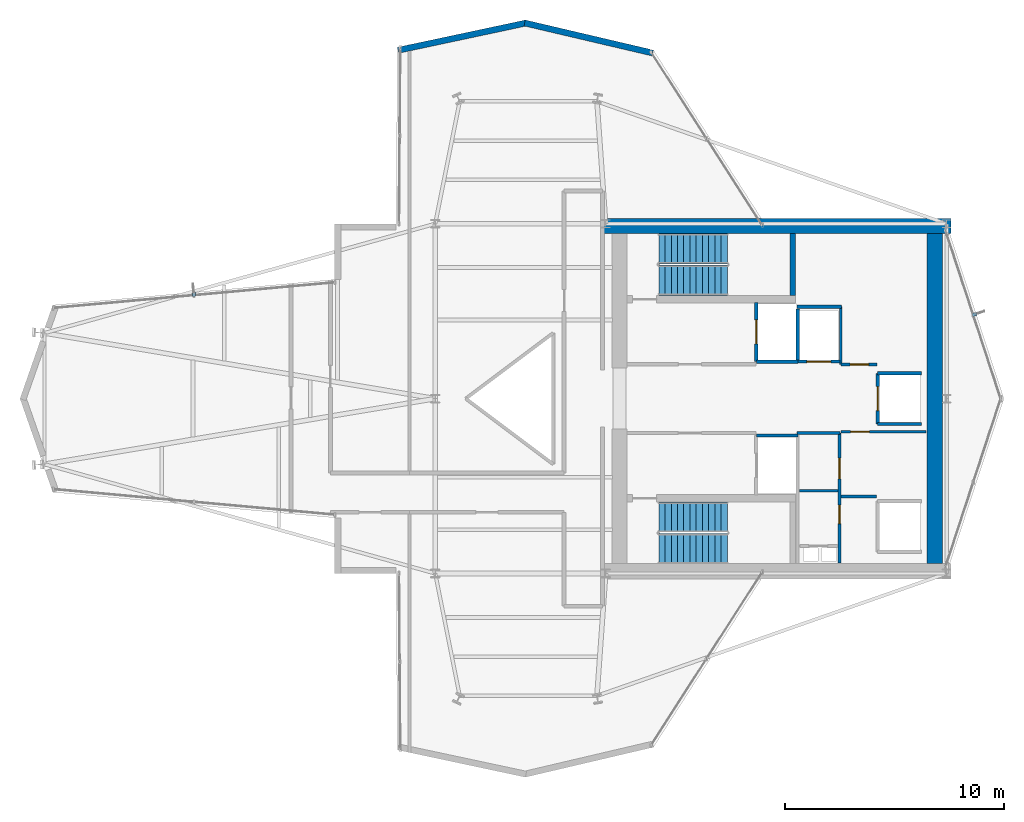
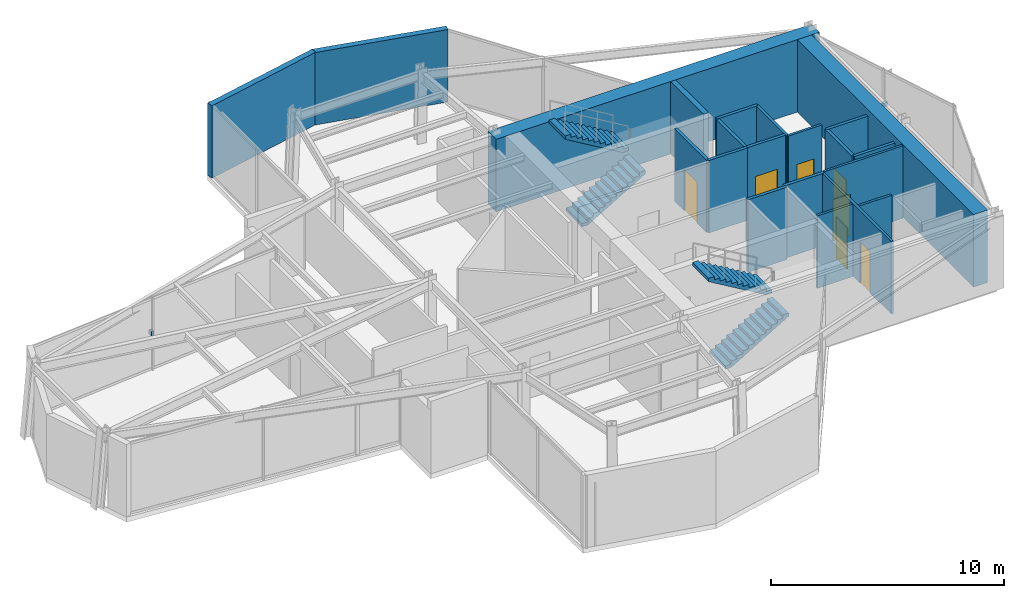
# One storey, part 22 of 23: 21 walls, 7 doors, 4 stair flights, 2 discrete accessories, 7 openings, 2 elements without a shape of their own.
"""IFC4 building model written with IfcOpenShell, lengths in metres."""

from ifc_helpers import new_model, si_unit, direction, frame, frame_2d, origin, origin_2d, place, context, subcontext, project, spatial, polyline, rectangle, outline, extrude, material, layer, layer_set, type_object, element, fill, aggregate, save


model = new_model("IFC4")

# Units and contexts
model_context = context("Model", 3, precision=1e-05, world=origin(), true_north=direction((0.0, 1.0)))
body_context = subcontext(model_context, "Body", "Model", "MODEL_VIEW")
ifc_project = project(units=[si_unit("LENGTHUNIT", "METRE"), si_unit("AREAUNIT", "SQUARE_METRE"), si_unit("VOLUMEUNIT", "CUBIC_METRE"), si_unit("PLANEANGLEUNIT", "RADIAN"), si_unit("MASSUNIT", "GRAM", prefix="KILO")], contexts=[model_context])

# Site, building, storey
site_placement = place(None, origin())
site = spatial("IfcSite", under=ifc_project, at=site_placement, CompositionType="ELEMENT")
building_placement = place(site_placement, origin())
building = spatial("IfcBuilding", under=site, at=building_placement, Name="Veymaron Broadcast Tower", CompositionType="ELEMENT")
storey_placement = place(building_placement, frame((0.0, 0.0, 199.949951171875)))
storey = spatial("IfcBuildingStorey", under=building, at=storey_placement, Name="L46", CompositionType="ELEMENT", Elevation=199.949951171875)

# Walls
ifc_material_1 = material(Name="Precast concrete C40/50", Category="concrete")
ifc_layer_1 = layer(ifc_material_1, 0.280029296875)
ifc_layer_set_1 = layer_set([ifc_layer_1], Name="Precast concrete C40/50")
wall_type_1 = type_object("IfcWallType", Name="WALL-EXT-280", PredefinedType="STANDARD", material=ifc_layer_set_1)
wall_1_placement = place(storey_placement, frame((41.15478515625, 39.813720703125, 0.0), z_axis=(0.0, 0.0, 1.0), x_axis=(-0.973574347184, 0.228370292517, 0.0)))
element("IfcWall", 1, at=wall_1_placement, inside=storey, type_object=wall_type_1, Name="L46 notched corner facade pier 6-1", PredefinedType="STANDARD", context=body_context, shape_type="SweptSolid", body=[
    extrude(rectangle(XDim=6.02099609375, YDim=0.280029296875, at=frame_2d((3.010498046875, 0.0))), origin(), (0.0, 0.0, 1.0), 3.7900390625),
])
wall_2_placement = place(storey_placement, frame((35.354248046875, 41.18798828125, 0.0), z_axis=(0.0, 0.0, 1.0), x_axis=(-0.978010564176, -0.208555355626, 0.0)))
element("IfcWall", 2, at=wall_2_placement, inside=storey, type_object=wall_type_1, Name="L46 notched corner facade pier 7-1", PredefinedType="STANDARD", context=body_context, shape_type="SweptSolid", body=[
    extrude(rectangle(XDim=5.99365234375, YDim=0.280029296875, at=frame_2d((2.996826171875, 0.0))), origin(), (0.0, 0.0, 1.0), 3.7900390625),
])

# Wall, opening, door
ifc_material_2 = material(Name="Gypsum fireboard and steel stud framing", Category="steel")
ifc_layer_2 = layer(ifc_material_2, 0.14990234375)
ifc_layer_set_2 = layer_set([ifc_layer_2], Name="Gypsum fireboard and steel stud framing")
wall_type_2 = type_object("IfcWallType", Name="WALL-FIRE-150", PredefinedType="PARTITIONING", material=ifc_layer_set_2)
wall_3_placement = place(storey_placement, frame((45.89501953125, 25.68994140625, 0.0), z_axis=(0.0, 0.0, 1.0), x_axis=(0.0, 1.0, 0.0)))
wall_3 = element("IfcWall", 3, at=wall_3_placement, inside=storey, type_object=wall_type_2, Name="L46 partition IW-L46-SHW-FFL-1", PredefinedType="PARTITIONING", context=body_context, shape_type="SweptSolid", body=[
    extrude(rectangle(XDim=2.719970703125, YDim=0.14990234375, at=frame_2d((1.35986328125, 0.0))), origin(), (0.0, 0.0, 1.0), 3.7900390625),
])
opening_1_placement = place(wall_3_placement, frame((0.81005859375, 0.0, 0.0)))
opening_1 = element("IfcOpeningElement", 4, at=opening_1_placement, cuts=wall_3, Name="Opening LD", PredefinedType="OPENING", context=body_context, shape_type="SweptSolid", body=[
    extrude(rectangle(XDim=1.10009765625, YDim=2.14990234375, at=frame_2d((0.550048828125, 1.074951171875))), frame((0.0, 0.0849609375, 0.0), z_axis=(0.0, -1.0, 0.0), x_axis=(1.0, 0.0, 0.0)), (0.0, 0.0, 1.0), 0.169921875),
])
ifc_material_3 = material(Name="Brushed stainless steel AISI 304", Category="steel")
door_type_1 = type_object("IfcDoorType", Name="DOOR-LIFT-1100", OperationType="DOUBLE_DOOR_SLIDING", PredefinedType="DOOR", material=ifc_material_3)
door_1_placement = place(opening_1_placement, frame((1.10009765625, 0.0, 0.0), z_axis=(0.0, 0.0, 1.0), x_axis=(-1.0, 0.0, 0.0)))
door_1 = element("IfcDoor", 5, at=door_1_placement, inside=storey, type_object=door_type_1, Name="L46 door LD-L46-FFL-1", OperationType="DOUBLE_DOOR_SLIDING", OverallHeight=2.14990234375, OverallWidth=1.10009765625, PredefinedType="DOOR", context=body_context, shape_type="SweptSolid", body=[
    extrude(rectangle(XDim=1.10009765625, YDim=2.14990234375, at=frame_2d((0.550048828125, 1.074951171875))), frame((0.0, 0.02490234375, 0.0), z_axis=(0.0, -1.0, 0.0), x_axis=(1.0, 0.0, 0.0)), (0.0, 0.0, 1.0), 0.050048828125),
])
fill(opening_1, door_1)

# Walls
for number, where, z_axis, x_axis, name in (
    (6, (45.89501953125, 25.68994140625, 0.0), (0.0, 0.0, 1.0), (1.0, 0.0, 0.0), "L46 partition IW-L46-SHS-FFL-1"),
    (7, (45.89501953125, 22.31005859375, 0.0), (0.0, 0.0, 1.0), (1.0, 0.0, 0.0), "L46 partition IW-L46-SHN-FFL-2"),
):
    element("IfcWall", number, at=place(storey_placement, frame(where, z_axis=z_axis, x_axis=x_axis)), inside=storey, type_object=wall_type_2, Name=name, PredefinedType="PARTITIONING", context=body_context, shape_type="SweptSolid", body=[
        extrude(rectangle(XDim=1.9150390625, YDim=0.14990234375, at=frame_2d((0.95751953125, 0.0))), origin(), (0.0, 0.0, 1.0), 3.7900390625),
    ])

# Wall, opening, door
wall_4_placement = place(storey_placement, frame((47.7900390625, 25.695068359375, 0.0), z_axis=(0.0, 0.0, 1.0), x_axis=(1.0, 0.0, 0.0)))
wall_4 = element("IfcWall", 8, at=wall_4_placement, inside=storey, type_object=wall_type_2, Name="L46 partition IW-L46-SHS-SL-1", PredefinedType="PARTITIONING", context=body_context, shape_type="SweptSolid", body=[
    extrude(rectangle(XDim=1.919921875, YDim=0.14990234375, at=frame_2d((0.9599609375, 0.0))), origin(), (0.0, 0.0, 1.0), 3.7900390625),
])
opening_2_placement = place(wall_4_placement, frame((0.409912109375, 0.0, 0.0)))
opening_2 = element("IfcOpeningElement", 9, at=opening_2_placement, cuts=wall_4, Name="Opening LD", PredefinedType="OPENING", context=body_context, shape_type="SweptSolid", body=[
    extrude(rectangle(XDim=1.10009765625, YDim=2.14990234375, at=frame_2d((0.550048828125, 1.074951171875))), frame((0.0, 0.0849609375, 0.0), z_axis=(0.0, -1.0, 0.0), x_axis=(1.0, 0.0, 0.0)), (0.0, 0.0, 1.0), 0.169921875),
])
door_2_placement = place(opening_2_placement, frame((1.10009765625, 0.0, 0.0), z_axis=(0.0, 0.0, 1.0), x_axis=(-1.0, 0.0, 0.0)))
door_2 = element("IfcDoor", 10, at=door_2_placement, inside=storey, type_object=door_type_1, Name="L46 door LD-L46-SL-1", OperationType="DOUBLE_DOOR_SLIDING", OverallHeight=2.14990234375, OverallWidth=1.10009765625, PredefinedType="DOOR", context=body_context, shape_type="SweptSolid", body=[
    extrude(rectangle(XDim=1.10009765625, YDim=2.14990234375, at=frame_2d((0.550048828125, 1.074951171875))), frame((0.0, 0.02490234375, 0.0), z_axis=(0.0, -1.0, 0.0), x_axis=(1.0, 0.0, 0.0)), (0.0, 0.0, 1.0), 0.050048828125),
])
fill(opening_2, door_2)

# Wall
wall_5_placement = place(storey_placement, frame((47.7900390625, 25.695068359375, 0.0), z_axis=(0.0, 0.0, 1.0), x_axis=(0.0, 1.0, 0.0)))
element("IfcWall", 11, at=wall_5_placement, inside=storey, type_object=wall_type_2, Name="L46 partition IW-L46-SHW-SL-1", PredefinedType="PARTITIONING", context=body_context, shape_type="SweptSolid", body=[
    extrude(rectangle(XDim=2.4150390625, YDim=0.14990234375, at=frame_2d((1.20751953125, 0.0))), origin(), (0.0, 0.0, 1.0), 3.7900390625),
])

# Wall, opening, door
wall_6_placement = place(storey_placement, frame((51.445068359375, 22.840087890625, 0.0), z_axis=(0.0, 0.0, 1.0), x_axis=(0.0, 1.0, 0.0)))
wall_6 = element("IfcWall", 12, at=wall_6_placement, inside=storey, type_object=wall_type_2, Name="L46 partition IW-L46-SHW-PM3", PredefinedType="PARTITIONING", context=body_context, shape_type="SweptSolid", body=[
    extrude(rectangle(XDim=2.31982421875, YDim=0.14990234375, at=frame_2d((1.159912109375, 0.0))), origin(), (0.0, 0.0, 1.0), 3.7900390625),
])
opening_3_placement = place(wall_6_placement, frame((0.610107421875, 0.0, 0.0)))
opening_3 = element("IfcOpeningElement", 13, at=opening_3_placement, cuts=wall_6, Name="Opening LD", PredefinedType="OPENING", context=body_context, shape_type="SweptSolid", body=[
    extrude(rectangle(XDim=1.10009765625, YDim=2.14990234375, at=frame_2d((0.550048828125, 1.074951171875))), frame((0.0, 0.0849609375, 0.0), z_axis=(0.0, -1.0, 0.0), x_axis=(1.0, 0.0, 0.0)), (0.0, 0.0, 1.0), 0.169921875),
])
door_3_placement = place(opening_3_placement, frame((1.10009765625, 0.0, 0.0), z_axis=(0.0, 0.0, 1.0), x_axis=(-1.0, 0.0, 0.0)))
door_3 = element("IfcDoor", 14, at=door_3_placement, inside=storey, type_object=door_type_1, Name="L46 door LD-L46-PM3", OperationType="DOUBLE_DOOR_SLIDING", OverallHeight=2.14990234375, OverallWidth=1.10009765625, PredefinedType="DOOR", context=body_context, shape_type="SweptSolid", body=[
    extrude(rectangle(XDim=1.10009765625, YDim=2.14990234375, at=frame_2d((0.550048828125, 1.074951171875))), frame((0.0, 0.02490234375, 0.0), z_axis=(0.0, -1.0, 0.0), x_axis=(1.0, 0.0, 0.0)), (0.0, 0.0, 1.0), 0.050048828125),
])
fill(opening_3, door_3)

# Walls
for number, where, z_axis, x_axis, name in (
    (15, (51.445068359375, 22.840087890625, 0.0), (0.0, 0.0, 1.0), (1.0, 0.0, 0.0), "L46 partition IW-L46-SHS-PM3"),
    (16, (51.445068359375, 25.159912109375, 0.0), (0.0, 0.0, 1.0), (1.0, 0.0, 0.0), "L46 partition IW-L46-SHN-PM3"),
):
    element("IfcWall", number, at=place(storey_placement, frame(where, z_axis=z_axis, x_axis=x_axis)), inside=storey, type_object=wall_type_2, Name=name, PredefinedType="PARTITIONING", context=body_context, shape_type="SweptSolid", body=[
        extrude(rectangle(XDim=2.014892578125, YDim=0.14990234375, at=frame_2d((1.00732421875, 0.0))), origin(), (0.0, 0.0, 1.0), 3.7900390625),
    ])
wall_7_placement = place(storey_placement, frame((47.760009765625, 22.425048828125, 0.0), z_axis=(0.0, 0.0, 1.0), x_axis=(1.0, 0.0, 0.0)))
element("IfcWall", 17, at=wall_7_placement, inside=storey, type_object=wall_type_2, Name="L46 partition IW-L46-SM-N", PredefinedType="PARTITIONING", context=body_context, shape_type="SweptSolid", body=[
    extrude(rectangle(XDim=1.9599609375, YDim=0.14990234375, at=frame_2d((0.97998046875, 0.0))), origin(), (0.0, 0.0, 1.0), 3.7900390625),
])
wall_8_placement = place(storey_placement, frame((47.760009765625, 28.199951171875, 0.0), z_axis=(0.0, 0.0, 1.0), x_axis=(1.0, 0.0, 0.0)))
element("IfcWall", 18, at=wall_8_placement, inside=storey, type_object=wall_type_2, Name="L46 partition IW-L46-F2-SW", PredefinedType="PARTITIONING", context=body_context, shape_type="SweptSolid", body=[
    extrude(rectangle(XDim=2.0400390625, YDim=0.14990234375, at=frame_2d((1.02001953125, 0.0))), origin(), (0.0, 0.0, 1.0), 3.7900390625),
])
ifc_material_4 = material(Name="Acoustic gypsum board and galvanized stud", Category="gypsum")
ifc_layer_3 = layer(ifc_material_4, 0.1201171875)
ifc_layer_set_3 = layer_set([ifc_layer_3], Name="Acoustic gypsum board and galvanized stud")
wall_type_3 = type_object("IfcWallType", Name="WALL-PART-120", PredefinedType="PARTITIONING", material=ifc_layer_set_3)
wall_9_placement = place(storey_placement, frame((47.860107421875, 19.780029296875, 0.0), z_axis=(0.0, 0.0, 1.0), x_axis=(1.0, 0.0, 0.0)))
element("IfcWall", 19, at=wall_9_placement, inside=storey, type_object=wall_type_3, Name="L46 partition IW-L46-SM-DIV", PredefinedType="PARTITIONING", context=body_context, shape_type="SweptSolid", body=[
    extrude(rectangle(XDim=1.760009765625, YDim=0.1201171875, at=frame_2d((0.8798828125, 0.0))), origin(), (0.0, 0.0, 1.0), 3.7900390625),
])

# Wall, openings, doors
wall_10_placement = place(storey_placement, frame((49.699951171875, 16.47998046875, 0.0), z_axis=(0.0, 0.0, 1.0), x_axis=(0.0, 1.0, 0.0)))
wall_10 = element("IfcWall", 20, at=wall_10_placement, inside=storey, type_object=wall_type_3, Name="L46 partition IW-L46-SM-E", PredefinedType="PARTITIONING", context=body_context, shape_type="SweptSolid", body=[
    extrude(rectangle(XDim=5.945068359375, YDim=0.1201171875, at=frame_2d((2.97265625, 0.0))), origin(), (0.0, 0.0, 1.0), 3.7900390625),
])
opening_4_placement = place(wall_10_placement, frame((1.800048828125, 0.0, 0.0)))
opening_4 = element("IfcOpeningElement", 21, at=opening_4_placement, cuts=wall_10, Name="Opening ID-WC1", PredefinedType="OPENING", context=body_context, shape_type="SweptSolid", body=[
    extrude(rectangle(XDim=0.85009765625, YDim=2.14990234375, at=frame_2d((0.425048828125, 1.074951171875))), frame((0.0, 0.070068359375, 0.0), z_axis=(0.0, -1.0, 0.0), x_axis=(1.0, 0.0, 0.0)), (0.0, 0.0, 1.0), 0.14013671875),
])
opening_5_placement = place(wall_10_placement, frame((3.85009765625, 0.0, 0.0)))
opening_5 = element("IfcOpeningElement", 22, at=opening_5_placement, cuts=wall_10, Name="Opening ID-RM1", PredefinedType="OPENING", context=body_context, shape_type="SweptSolid", body=[
    extrude(rectangle(XDim=0.949951171875, YDim=2.14990234375, at=frame_2d((0.47509765625, 1.074951171875))), frame((0.0, 0.070068359375, 0.0), z_axis=(0.0, -1.0, 0.0), x_axis=(1.0, 0.0, 0.0)), (0.0, 0.0, 1.0), 0.14013671875),
])
ifc_material_5 = material(Name="Moisture-resistant high-pressure laminate timber", Category="wood")
door_type_2 = type_object("IfcDoorType", Name="DOOR-INT-850", OperationType="NOTDEFINED", PredefinedType="DOOR", material=ifc_material_5)
door_4_placement = place(opening_4_placement, frame((0.85009765625, 0.0, 0.0), z_axis=(0.0, 0.0, 1.0), x_axis=(-1.0, 0.0, 0.0)))
door_4 = element("IfcDoor", 23, at=door_4_placement, inside=storey, type_object=door_type_2, Name="L46 door DR-L46-SWC", OperationType="SINGLE_SWING_LEFT", OverallHeight=2.14990234375, OverallWidth=0.85009765625, PredefinedType="DOOR", context=body_context, shape_type="SweptSolid", body=[
    extrude(rectangle(XDim=0.85009765625, YDim=2.14990234375, at=frame_2d((0.425048828125, 1.074951171875))), frame((0.0, 0.02490234375, 0.0), z_axis=(0.0, -1.0, 0.0), x_axis=(1.0, 0.0, 0.0)), (0.0, 0.0, 1.0), 0.050048828125),
])
fill(opening_4, door_4)
ifc_material_6 = material(Name="Acoustic solid-core European oak veneer timber", Category="wood")
door_type_3 = type_object("IfcDoorType", Name="DOOR-INT-950", OperationType="NOTDEFINED", PredefinedType="DOOR", material=ifc_material_6)
door_5_placement = place(opening_5_placement, frame((0.949951171875, 0.0, 0.0), z_axis=(0.0, 0.0, 1.0), x_axis=(-1.0, 0.0, 0.0)))
door_5 = element("IfcDoor", 24, at=door_5_placement, inside=storey, type_object=door_type_3, Name="L46 door DR-L46-AWC", OperationType="SINGLE_SWING_RIGHT", OverallHeight=2.14990234375, OverallWidth=0.949951171875, PredefinedType="DOOR", context=body_context, shape_type="SweptSolid", body=[
    extrude(rectangle(XDim=0.949951171875, YDim=2.14990234375, at=frame_2d((0.47509765625, 1.074951171875))), frame((0.0, 0.02490234375, 0.0), z_axis=(0.0, -1.0, 0.0), x_axis=(1.0, 0.0, 0.0)), (0.0, 0.0, 1.0), 0.050048828125),
])
fill(opening_5, door_5)

# Wall, opening, door
wall_11_placement = place(storey_placement, frame((49.760009765625, 22.47998046875, 0.0), z_axis=(0.0, 0.0, 1.0), x_axis=(1.0, 0.0, 0.0)))
wall_11 = element("IfcWall", 25, at=wall_11_placement, inside=storey, type_object=wall_type_3, Name="L46 partition IW-L46-F2S-N", PredefinedType="PARTITIONING", context=body_context, shape_type="SweptSolid", body=[
    extrude(rectangle(XDim=3.89990234375, YDim=0.1201171875, at=frame_2d((1.949951171875, 0.0))), origin(), (0.0, 0.0, 1.0), 3.7900390625),
])
opening_6_placement = place(wall_11_placement, frame((0.449951171875, 0.0, 0.0)))
opening_6 = element("IfcOpeningElement", 26, at=opening_6_placement, cuts=wall_11, Name="Opening ID-WC1", PredefinedType="OPENING", context=body_context, shape_type="SweptSolid", body=[
    extrude(rectangle(XDim=0.85009765625, YDim=2.14990234375, at=frame_2d((0.425048828125, 1.074951171875))), frame((0.0, 0.070068359375, 0.0), z_axis=(0.0, -1.0, 0.0), x_axis=(1.0, 0.0, 0.0)), (0.0, 0.0, 1.0), 0.14013671875),
])
door_6_placement = place(opening_6_placement, frame((0.85009765625, 0.0, 0.0), z_axis=(0.0, 0.0, 1.0), x_axis=(-1.0, 0.0, 0.0)))
door_6 = element("IfcDoor", 27, at=door_6_placement, inside=storey, type_object=door_type_2, Name="L46 door DR-L46-F2S", OperationType="SINGLE_SWING_LEFT", OverallHeight=2.14990234375, OverallWidth=0.85009765625, PredefinedType="DOOR", context=body_context, shape_type="SweptSolid", body=[
    extrude(rectangle(XDim=0.85009765625, YDim=2.14990234375, at=frame_2d((0.425048828125, 1.074951171875))), frame((0.0, 0.02490234375, 0.0), z_axis=(0.0, -1.0, 0.0), x_axis=(1.0, 0.0, 0.0)), (0.0, 0.0, 1.0), 0.050048828125),
])
fill(opening_6, door_6)

# Walls
wall_12_placement = place(storey_placement, frame((49.760009765625, 19.52001953125, 0.0), z_axis=(0.0, 0.0, 1.0), x_axis=(1.0, 0.0, 0.0)))
element("IfcWall", 28, at=wall_12_placement, inside=storey, type_object=wall_type_3, Name="L46 partition IW-L46-F2S-S", PredefinedType="PARTITIONING", context=body_context, shape_type="SweptSolid", body=[
    extrude(rectangle(XDim=1.639892578125, YDim=0.1201171875, at=frame_2d((0.81982421875, 0.0))), origin(), (0.0, 0.0, 1.0), 3.7900390625),
])
wall_13_placement = place(storey_placement, frame((49.760009765625, 25.56005859375, 0.0), z_axis=(0.0, 0.0, 1.0), x_axis=(0.0, 1.0, 0.0)))
element("IfcWall", 29, at=wall_13_placement, inside=storey, type_object=wall_type_3, Name="L46 partition IW-L46-F2-W1", PredefinedType="PARTITIONING", context=body_context, shape_type="SweptSolid", body=[
    extrude(rectangle(XDim=2.659912109375, YDim=0.1201171875, at=frame_2d((1.330078125, 0.0))), origin(), (0.0, 0.0, 1.0), 3.7900390625),
])

# Wall, opening, door
wall_14_placement = place(storey_placement, frame((49.760009765625, 25.56005859375, 0.0), z_axis=(0.0, 0.0, 1.0), x_axis=(1.0, 0.0, 0.0)))
wall_14 = element("IfcWall", 30, at=wall_14_placement, inside=storey, type_object=wall_type_3, Name="L46 partition IW-L46-F2-S", PredefinedType="PARTITIONING", context=body_context, shape_type="SweptSolid", body=[
    extrude(rectangle(XDim=1.659912109375, YDim=0.1201171875, at=frame_2d((0.830078125, 0.0))), origin(), (0.0, 0.0, 1.0), 3.7900390625),
])
opening_7_placement = place(wall_14_placement, frame((0.419921875, 0.0, 0.0)))
opening_7 = element("IfcOpeningElement", 31, at=opening_7_placement, cuts=wall_14, Name="Opening ID-WC1", PredefinedType="OPENING", context=body_context, shape_type="SweptSolid", body=[
    extrude(rectangle(XDim=0.85009765625, YDim=2.14990234375, at=frame_2d((0.425048828125, 1.074951171875))), frame((0.0, 0.070068359375, 0.0), z_axis=(0.0, -1.0, 0.0), x_axis=(1.0, 0.0, 0.0)), (0.0, 0.0, 1.0), 0.14013671875),
])
door_7_placement = place(opening_7_placement, origin())
door_7 = element("IfcDoor", 32, at=door_7_placement, inside=storey, type_object=door_type_2, Name="L46 door DR-L46-F2A", OperationType="SINGLE_SWING_LEFT", OverallHeight=2.14990234375, OverallWidth=0.85009765625, PredefinedType="DOOR", context=body_context, shape_type="SweptSolid", body=[
    extrude(rectangle(XDim=0.85009765625, YDim=2.14990234375, at=frame_2d((0.425048828125, 1.074951171875))), frame((0.0, 0.02490234375, 0.0), z_axis=(0.0, -1.0, 0.0), x_axis=(1.0, 0.0, 0.0)), (0.0, 0.0, 1.0), 0.050048828125),
])
fill(opening_7, door_7)

# Walls
ifc_material_7 = material(Name="Concrete C50/60", Category="concrete")
ifc_layer_4 = layer(ifc_material_7, 0.25)
ifc_layer_set_4 = layer_set([ifc_layer_4], Name="Concrete C50/60")
wall_type_4 = type_object("IfcWallType", Name="WALL-SHEAR-250", PredefinedType="SHEAR", material=ifc_layer_set_4)
wall_15_placement = place(storey_placement, frame((47.56494140625, 28.72998046875, 0.0), z_axis=(0.0, 0.0, 1.0), x_axis=(0.0, 1.0, 0.0)))
element("IfcWall", 33, at=wall_15_placement, inside=storey, type_object=wall_type_4, Name="L46 Core Wall north stair east shear", PredefinedType="SHEAR", context=body_context, shape_type="SweptSolid", body=[
    extrude(rectangle(XDim=2.820068359375, YDim=0.25, at=frame_2d((1.41015625, 0.0))), origin(), (0.0, 0.0, 1.0), 3.7900390625),
])
ifc_material_8 = material(Name="Concrete C60/75", Category="concrete")
ifc_layer_5 = layer(ifc_material_8, 0.699951171875)
ifc_layer_set_5 = layer_set([ifc_layer_5], Name="Concrete C60/75")
wall_type_5 = type_object("IfcWallType", Name="WALL-SHEAR-700", PredefinedType="SHEAR", material=ifc_layer_set_5)
wall_16_placement = place(storey_placement, frame((38.800048828125, 31.89990234375, 0.0), z_axis=(0.0, 0.0, 1.0), x_axis=(1.0, 0.0, 0.0)))
element("IfcWall", 34, at=wall_16_placement, inside=storey, type_object=wall_type_5, Name="L46 Core Wall north shear", PredefinedType="SHEAR", context=body_context, shape_type="SweptSolid", body=[
    extrude(rectangle(XDim=16.0, YDim=0.699951171875, at=frame_2d((8.0, 0.0))), origin(), (0.0, 0.0, 1.0), 3.7900390625),
])
wall_17_placement = place(storey_placement, frame((54.050048828125, 16.449951171875, 0.0), z_axis=(0.0, 0.0, 1.0), x_axis=(0.0, 1.0, 0.0)))
element("IfcWall", 35, at=wall_17_placement, inside=storey, type_object=wall_type_5, Name="L46 Core Wall east shear", PredefinedType="SHEAR", context=body_context, shape_type="SweptSolid", body=[
    extrude(rectangle(XDim=15.10009765625, YDim=0.699951171875, at=frame_2d((7.550048828125, 0.0))), origin(), (0.0, 0.0, 1.0), 3.7900390625),
])

# Stair, stair flights
stair_type_1 = type_object("IfcStairType", Name="STAIR-CORE-1", PredefinedType="HALF_TURN_STAIR", material=ifc_material_7)
stair_1_placement = place(storey_placement, origin())
stair_1 = element("IfcStair", 36, at=stair_1_placement, inside=storey, type_object=stair_type_1, Name="L46 North protected dog-leg exit stair ST1", PredefinedType="HALF_TURN_STAIR")
ifc_material_9 = material(Name="Precast concrete C50/60", Category="concrete")
stair_flight_type = type_object("IfcStairFlightType", Name="FLT-CORE-RC", PredefinedType="STRAIGHT", material=ifc_material_9)
stair_flight_1_placement = place(storey_placement, frame((41.429931640625, 29.419921875, 0.0), z_axis=(0.0, 0.0, 1.0), x_axis=(1.0, 0.0, 0.0)))
stair_flight_1 = element("IfcStairFlight", 37, at=stair_flight_1_placement, type_object=stair_flight_type, Name="ST1 flight 1", NumberOfRisers=12, NumberOfTreads=11, PredefinedType="STRAIGHT", RiserHeight=0.16875, TreadLength=0.285, context=body_context, shape_type="SweptSolid", body=[
    extrude(outline(polyline([(0.0, 0.0), (0.0, 0.168701171875), (0.284912109375, 0.168701171875), (0.284912109375, 0.33740234375), (0.570068359375, 0.33740234375), (0.570068359375, 0.50634765625), (0.85498046875, 0.50634765625), (0.85498046875, 0.675048828125), (1.139892578125, 0.675048828125), (1.139892578125, 0.84375), (1.425048828125, 0.84375), (1.425048828125, 1.012451171875), (1.7099609375, 1.012451171875), (1.7099609375, 1.18115234375), (1.9951171875, 1.18115234375), (1.9951171875, 1.35009765625), (2.280029296875, 1.35009765625), (2.280029296875, 1.518798828125), (2.56494140625, 1.518798828125), (2.56494140625, 1.6875), (2.85009765625, 1.6875), (2.85009765625, 1.856201171875), (3.135009765625, 1.856201171875), (3.135009765625, 2.02490234375), (3.135009765625, 1.68212890625), (0.294189453125, 0.0), (0.0, 0.0)])), frame((0.0, 0.68994140625, 0.0), z_axis=(0.0, -1.0, 0.0), x_axis=(1.0, 0.0, 0.0)), (0.0, 0.0, 1.0), 1.3798828125),
])
stair_flight_2_placement = place(storey_placement, frame((44.56494140625, 30.860107421875, 2.025146484375), z_axis=(0.0, 0.0, 1.0), x_axis=(-1.0, 0.0, 0.0)))
stair_flight_2 = element("IfcStairFlight", 38, at=stair_flight_2_placement, type_object=stair_flight_type, Name="ST1 flight 2", NumberOfRisers=12, NumberOfTreads=11, PredefinedType="STRAIGHT", RiserHeight=0.16875, TreadLength=0.285, context=body_context, shape_type="SweptSolid", body=[
    extrude(outline(polyline([(0.0, 0.0), (0.0, 0.168701171875), (0.284912109375, 0.168701171875), (0.284912109375, 0.33740234375), (0.570068359375, 0.33740234375), (0.570068359375, 0.50634765625), (0.85498046875, 0.50634765625), (0.85498046875, 0.675048828125), (1.139892578125, 0.675048828125), (1.139892578125, 0.84375), (1.425048828125, 0.84375), (1.425048828125, 1.012451171875), (1.7099609375, 1.012451171875), (1.7099609375, 1.18115234375), (1.9951171875, 1.18115234375), (1.9951171875, 1.35009765625), (2.280029296875, 1.35009765625), (2.280029296875, 1.518798828125), (2.56494140625, 1.518798828125), (2.56494140625, 1.6875), (2.85009765625, 1.6875), (2.85009765625, 1.856201171875), (3.135009765625, 1.856201171875), (3.135009765625, 2.02490234375), (3.135009765625, 1.68212890625), (0.294189453125, 0.0), (0.0, 0.0)])), frame((0.0, 0.68994140625, 0.0), z_axis=(0.0, -1.0, 0.0), x_axis=(1.0, 0.0, 0.0)), (0.0, 0.0, 1.0), 1.3798828125),
])
aggregate(stair_1, [stair_flight_1, stair_flight_2])

stair_type_2 = type_object("IfcStairType", Name="STAIR-CORE-2", PredefinedType="HALF_TURN_STAIR", material=ifc_material_7)
stair_2_placement = place(storey_placement, origin())
stair_2 = element("IfcStair", 39, at=stair_2_placement, inside=storey, type_object=stair_type_2, Name="L46 South protected dog-leg exit stair ST2", PredefinedType="HALF_TURN_STAIR")
stair_flight_3_placement = place(storey_placement, frame((41.429931640625, 17.139892578125, 0.0), z_axis=(0.0, 0.0, 1.0), x_axis=(1.0, 0.0, 0.0)))
stair_flight_3 = element("IfcStairFlight", 40, at=stair_flight_3_placement, type_object=stair_flight_type, Name="ST2 flight 1", NumberOfRisers=12, NumberOfTreads=11, PredefinedType="STRAIGHT", RiserHeight=0.16875, TreadLength=0.285, context=body_context, shape_type="SweptSolid", body=[
    extrude(outline(polyline([(0.0, 0.0), (0.0, 0.168701171875), (0.284912109375, 0.168701171875), (0.284912109375, 0.33740234375), (0.570068359375, 0.33740234375), (0.570068359375, 0.50634765625), (0.85498046875, 0.50634765625), (0.85498046875, 0.675048828125), (1.139892578125, 0.675048828125), (1.139892578125, 0.84375), (1.425048828125, 0.84375), (1.425048828125, 1.012451171875), (1.7099609375, 1.012451171875), (1.7099609375, 1.18115234375), (1.9951171875, 1.18115234375), (1.9951171875, 1.35009765625), (2.280029296875, 1.35009765625), (2.280029296875, 1.518798828125), (2.56494140625, 1.518798828125), (2.56494140625, 1.6875), (2.85009765625, 1.6875), (2.85009765625, 1.856201171875), (3.135009765625, 1.856201171875), (3.135009765625, 2.02490234375), (3.135009765625, 1.68212890625), (0.294189453125, 0.0), (0.0, 0.0)])), frame((0.0, 0.68994140625, 0.0), z_axis=(0.0, -1.0, 0.0), x_axis=(1.0, 0.0, 0.0)), (0.0, 0.0, 1.0), 1.3798828125),
])
stair_flight_4_placement = place(storey_placement, frame((44.56494140625, 18.580078125, 2.025146484375), z_axis=(0.0, 0.0, 1.0), x_axis=(-1.0, 0.0, 0.0)))
stair_flight_4 = element("IfcStairFlight", 41, at=stair_flight_4_placement, type_object=stair_flight_type, Name="ST2 flight 2", NumberOfRisers=12, NumberOfTreads=11, PredefinedType="STRAIGHT", RiserHeight=0.16875, TreadLength=0.285, context=body_context, shape_type="SweptSolid", body=[
    extrude(outline(polyline([(0.0, 0.0), (0.0, 0.168701171875), (0.284912109375, 0.168701171875), (0.284912109375, 0.33740234375), (0.570068359375, 0.33740234375), (0.570068359375, 0.50634765625), (0.85498046875, 0.50634765625), (0.85498046875, 0.675048828125), (1.139892578125, 0.675048828125), (1.139892578125, 0.84375), (1.425048828125, 0.84375), (1.425048828125, 1.012451171875), (1.7099609375, 1.012451171875), (1.7099609375, 1.18115234375), (1.9951171875, 1.18115234375), (1.9951171875, 1.35009765625), (2.280029296875, 1.35009765625), (2.280029296875, 1.518798828125), (2.56494140625, 1.518798828125), (2.56494140625, 1.6875), (2.85009765625, 1.6875), (2.85009765625, 1.856201171875), (3.135009765625, 1.856201171875), (3.135009765625, 2.02490234375), (3.135009765625, 1.68212890625), (0.294189453125, 0.0), (0.0, 0.0)])), frame((0.0, 0.68994140625, 0.0), z_axis=(0.0, -1.0, 0.0), x_axis=(1.0, 0.0, 0.0)), (0.0, 0.0, 1.0), 1.3798828125),
])
aggregate(stair_2, [stair_flight_3, stair_flight_4])

# Discrete accessories
ifc_material_10 = material(Name="Austenitic stainless steel AISI 316L", Category="steel")
ifc_layer_6 = layer(ifc_material_10, 0.1201171875)
ifc_layer_set_6 = layer_set([ifc_layer_6], Name="Austenitic stainless steel AISI 316L")
discrete_accessory_type = type_object("IfcDiscreteAccessoryType", Name="ACC-BRKT-SS1", PredefinedType="BRACKET", material=ifc_layer_set_6)
for number, where, z_axis, x_axis, name in (
    (42, (55.876708984375, 27.852783203125, 1.78515625), (0.0, 0.0, 1.0), (0.950157227525, 0.311771138789, 0.0), "CW-L46-E3-1 fin bracket 1"),
    (43, (20.1572265625, 28.78955078125, 1.78515625), (0.0, 0.0, 1.0), (-0.090424000671, 0.995903358817, 0.0), "CW-L46-E11-1 fin bracket 1"),
):
    element("IfcDiscreteAccessory", number, at=place(storey_placement, frame(where, z_axis=z_axis, x_axis=x_axis)), inside=storey, type_object=discrete_accessory_type, Name=name, PredefinedType="BRACKET", context=body_context, shape_type="SweptSolid", body=[
        extrude(rectangle(XDim=0.219970703125, YDim=0.139892578125, at=origin_2d()), origin(), (0.0, 0.0, 1.0), 0.219970703125),
    ])

save(model, "model.ifc")
